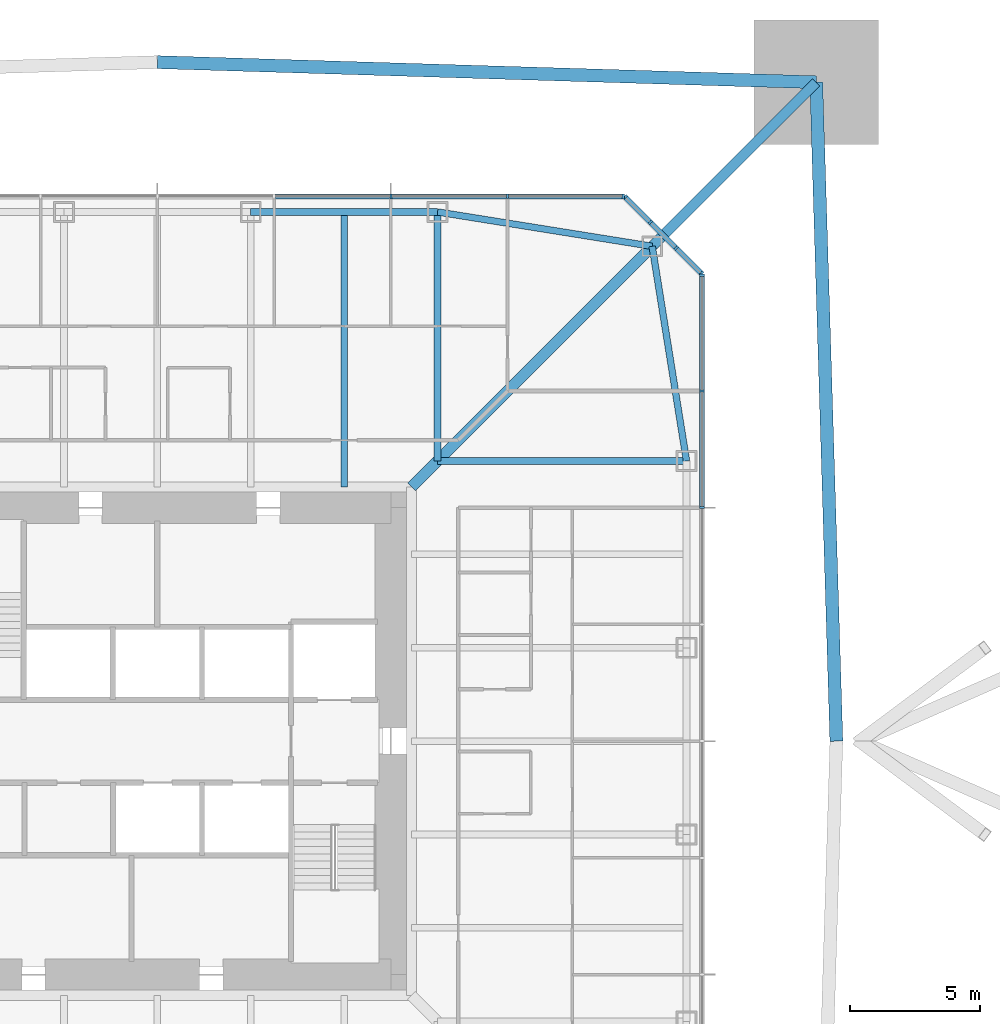
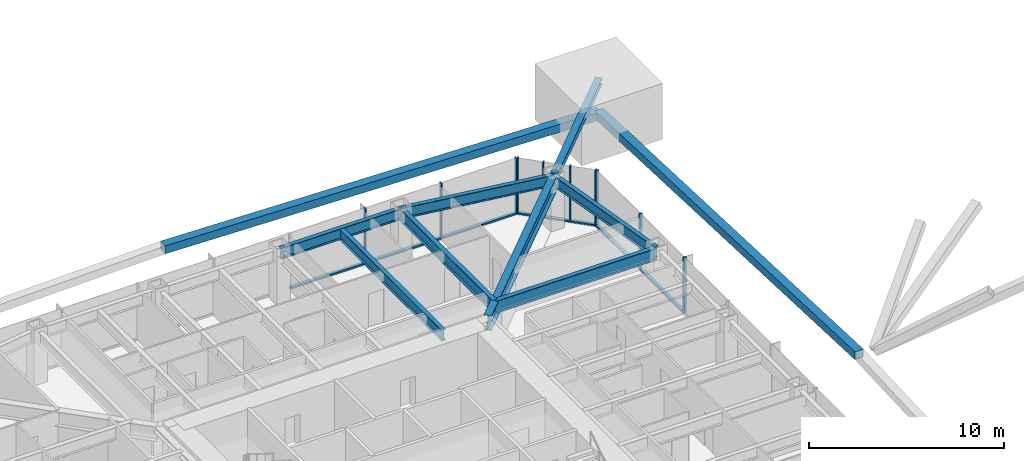
# One storey, part 9 of 27: 21 members, 7 beams, 3 elements without a shape of their own.
"""IFC4 building model written with IfcOpenShell, lengths in metres."""

from ifc_helpers import new_model, si_unit, direction, frame, origin, origin_2d, place, context, subcontext, project, spatial, rectangle, hollow_rectangle, i_section, extrude, material, material_profile, profile_set, type_object, element, aggregate, save


model = new_model("IFC4")

# Units and contexts
model_context = context("Model", 3, precision=1e-05, world=origin(), true_north=direction((0.0, 1.0)))
body_context = subcontext(model_context, "Body", "Model", "MODEL_VIEW")
ifc_project = project(units=[si_unit("LENGTHUNIT", "METRE"), si_unit("AREAUNIT", "SQUARE_METRE"), si_unit("VOLUMEUNIT", "CUBIC_METRE"), si_unit("PLANEANGLEUNIT", "RADIAN"), si_unit("MASSUNIT", "GRAM", prefix="KILO")], contexts=[model_context])

# Site, building, storey
site_placement = place(None, origin())
site = spatial("IfcSite", under=ifc_project, at=site_placement, CompositionType="ELEMENT")
building_placement = place(site_placement, origin())
building = spatial("IfcBuilding", under=site, at=building_placement, Name="Iwan Alto Co-Living Towers", CompositionType="ELEMENT")
storey_placement = place(building_placement, frame((0.0, 0.0, 91.0)))
storey = spatial("IfcBuildingStorey", under=building, at=storey_placement, Name="L24", CompositionType="ELEMENT", Elevation=91.0)

# Curtain wall, members
ifc_material_1 = material(Name="Bronze aluminium unitised frame", Category="aluminium")
curtain_wall_type_1 = type_object("IfcCurtainWallType", Name="CURTAIN WALL CW-A", PredefinedType="NOTDEFINED", material=ifc_material_1)
curtain_wall_1_placement = place(storey_placement, origin())
curtain_wall_1 = element("IfcCurtainWall", 1, at=curtain_wall_1_placement, inside=storey, type_object=curtain_wall_type_1, Name="T1 curtain wall E L24", PredefinedType="NOTDEFINED")
ifc_material_2 = material(Name="Aluminium 6063-T6 bronze anodised", Category="aluminium")
ifc_material_profile_1 = material_profile(ifc_material_2, rectangle(XDim=0.199951171875, YDim=0.080078125, at=origin_2d()), Name="AL 80X200")
ifc_profile_set_1 = profile_set([ifc_material_profile_1], Name="Aluminium 6063-T6 bronze anodised")
member_type_1 = type_object("IfcMemberType", Name="CW-A MULLION 80X200", PredefinedType="MULLION", material=ifc_profile_set_1)
member_1_placement = place(storey_placement, frame((21.0, 9.0, 0.0), z_axis=(0.0, 0.0, 1.0), x_axis=(-1.0, 0.0, 0.0)))
member_1 = element("IfcMember", 2, at=member_1_placement, type_object=member_type_1, Name="CW-A mullion 7", PredefinedType="MULLION", context=body_context, shape_type="SweptSolid", body=[
    extrude(rectangle(XDim=0.199951171875, YDim=0.080078125, at=origin_2d()), origin(), (0.0, 0.0, 1.0), 3.5),
])
member_2_placement = place(storey_placement, frame((21.0, 13.5, 0.0), z_axis=(0.0, 0.0, 1.0), x_axis=(-1.0, 0.0, 0.0)))
member_2 = element("IfcMember", 3, at=member_2_placement, type_object=member_type_1, Name="CW-A mullion 8", PredefinedType="MULLION", context=body_context, shape_type="SweptSolid", body=[
    extrude(rectangle(XDim=0.199951171875, YDim=0.080078125, at=origin_2d()), origin(), (0.0, 0.0, 1.0), 3.5),
])
member_3_placement = place(storey_placement, frame((21.0, 17.9599609375, 0.0), z_axis=(0.0, 0.0, 1.0), x_axis=(-1.0, 0.0, 0.0)))
member_3 = element("IfcMember", 4, at=member_3_placement, type_object=member_type_1, Name="CW-A mullion 9", PredefinedType="MULLION", context=body_context, shape_type="SweptSolid", body=[
    extrude(rectangle(XDim=0.199951171875, YDim=0.080078125, at=origin_2d()), origin(), (0.0, 0.0, 1.0), 3.5),
])

curtain_wall_2_placement = place(storey_placement, origin())
curtain_wall_2 = element("IfcCurtainWall", 5, at=curtain_wall_2_placement, inside=storey, type_object=curtain_wall_type_1, Name="T1 curtain wall N L24", PredefinedType="NOTDEFINED")
member_4_placement = place(storey_placement, frame((17.9599609375, 21.0, 0.0), z_axis=(0.0, 0.0, 1.0), x_axis=(0.0, -1.0, 0.0)))
member_4 = element("IfcMember", 6, at=member_4_placement, type_object=member_type_1, Name="CW-A mullion 1", PredefinedType="MULLION", context=body_context, shape_type="SweptSolid", body=[
    extrude(rectangle(XDim=0.199951171875, YDim=0.080078125, at=origin_2d()), origin(), (0.0, 0.0, 1.0), 3.5),
])
member_5_placement = place(storey_placement, frame((13.5, 21.0, 0.0), z_axis=(0.0, 0.0, 1.0), x_axis=(0.0, -1.0, 0.0)))
member_5 = element("IfcMember", 7, at=member_5_placement, type_object=member_type_1, Name="CW-A mullion 2", PredefinedType="MULLION", context=body_context, shape_type="SweptSolid", body=[
    extrude(rectangle(XDim=0.199951171875, YDim=0.080078125, at=origin_2d()), origin(), (0.0, 0.0, 1.0), 3.5),
])
member_6_placement = place(storey_placement, frame((9.0, 21.0, 0.0), z_axis=(0.0, 0.0, 1.0), x_axis=(0.0, -1.0, 0.0)))
member_6 = element("IfcMember", 8, at=member_6_placement, type_object=member_type_1, Name="CW-A mullion 3", PredefinedType="MULLION", context=body_context, shape_type="SweptSolid", body=[
    extrude(rectangle(XDim=0.199951171875, YDim=0.080078125, at=origin_2d()), origin(), (0.0, 0.0, 1.0), 3.5),
])

# Member
ifc_material_3 = material(Name="Aluminium 6063-T6 bronze anodised", Category="aluminium")
ifc_material_profile_2 = material_profile(ifc_material_3, rectangle(XDim=0.199951171875, YDim=0.10009765625, at=origin_2d()), Name="AL 200X100")
ifc_profile_set_2 = profile_set([ifc_material_profile_2], Name="Aluminium 6063-T6 bronze anodised")
member_type_2 = type_object("IfcMemberType", Name="CW-A TRANSOM 200X100", PredefinedType="USERDEFINED", material=ifc_profile_set_2)
member_7_placement = place(storey_placement, frame((21.0, 9.0400390625, 0.050048828125), z_axis=(0.0, 1.0, 0.0), x_axis=(-1.0, 0.0, 0.0)))
member_7 = element("IfcMember", 9, at=member_7_placement, type_object=member_type_2, Name="CW-A transom 7.1", ObjectType="TRANSOM", PredefinedType="USERDEFINED", context=body_context, shape_type="SweptSolid", body=[
    extrude(rectangle(XDim=0.199951171875, YDim=0.10009765625, at=origin_2d()), origin(), (0.0, 0.0, 1.0), 4.419921875),
])

member_8_placement = place(storey_placement, frame((21.0, 13.5400390625, 0.050048828125), z_axis=(0.0, 1.0, 0.0), x_axis=(-1.0, 0.0, 0.0)))
member_8 = element("IfcMember", 10, at=member_8_placement, type_object=member_type_2, Name="CW-A transom 8.1", ObjectType="TRANSOM", PredefinedType="USERDEFINED", context=body_context, shape_type="SweptSolid", body=[
    extrude(rectangle(XDim=0.199951171875, YDim=0.10009765625, at=origin_2d()), origin(), (0.0, 0.0, 1.0), 4.3798828125),
])

aggregate(curtain_wall_1, [member_1, member_2, member_3, member_7, member_8])

member_9_placement = place(storey_placement, frame((17.919921875, 21.0, 0.050048828125), z_axis=(-1.0, 0.0, 0.0), x_axis=(0.0, -1.0, 0.0)))
member_9 = element("IfcMember", 11, at=member_9_placement, type_object=member_type_2, Name="CW-A transom 1.1", ObjectType="TRANSOM", PredefinedType="USERDEFINED", context=body_context, shape_type="SweptSolid", body=[
    extrude(rectangle(XDim=0.199951171875, YDim=0.10009765625, at=origin_2d()), origin(), (0.0, 0.0, 1.0), 4.3798828125),
])

member_10_placement = place(storey_placement, frame((13.4599609375, 21.0, 0.050048828125), z_axis=(-1.0, 0.0, 0.0), x_axis=(0.0, -1.0, 0.0)))
member_10 = element("IfcMember", 12, at=member_10_placement, type_object=member_type_2, Name="CW-A transom 2.1", ObjectType="TRANSOM", PredefinedType="USERDEFINED", context=body_context, shape_type="SweptSolid", body=[
    extrude(rectangle(XDim=0.199951171875, YDim=0.10009765625, at=origin_2d()), origin(), (0.0, 0.0, 1.0), 4.419921875),
])

member_11_placement = place(storey_placement, frame((8.9599609375, 21.0, 0.050048828125), z_axis=(-1.0, 0.0, 0.0), x_axis=(0.0, -1.0, 0.0)))
member_11 = element("IfcMember", 13, at=member_11_placement, type_object=member_type_2, Name="CW-A transom 3.1", ObjectType="TRANSOM", PredefinedType="USERDEFINED", context=body_context, shape_type="SweptSolid", body=[
    extrude(rectangle(XDim=0.199951171875, YDim=0.10009765625, at=origin_2d()), origin(), (0.0, 0.0, 1.0), 4.419921875),
])

aggregate(curtain_wall_2, [member_4, member_5, member_6, member_9, member_10, member_11])

# Curtain wall, members
ifc_material_4 = material(Name="Bronze aluminium unitised frame", Category="aluminium")
curtain_wall_type_2 = type_object("IfcCurtainWallType", Name="CURTAIN WALL CW-B", PredefinedType="NOTDEFINED", material=ifc_material_4)
curtain_wall_3_placement = place(storey_placement, origin())
curtain_wall_3 = element("IfcCurtainWall", 14, at=curtain_wall_3_placement, inside=storey, type_object=curtain_wall_type_2, Name="T1 chamfer curtain wall NE L24", PredefinedType="NOTDEFINED")
ifc_material_5 = material(Name="Aluminium 6063-T6 bronze anodised", Category="aluminium")
ifc_material_profile_3 = material_profile(ifc_material_5, rectangle(XDim=0.199951171875, YDim=0.080078125, at=origin_2d()), Name="AL 80X200")
ifc_profile_set_3 = profile_set([ifc_material_profile_3], Name="Aluminium 6063-T6 bronze anodised")
member_type_3 = type_object("IfcMemberType", Name="CW-B MULLION 80X200", PredefinedType="MULLION", material=ifc_profile_set_3)
member_12_placement = place(storey_placement, frame((20.9716796875, 18.0283203125, 0.0), z_axis=(0.0, 0.0, 1.0), x_axis=(-0.707106781187, -0.707106781187, 0.0)))
member_12 = element("IfcMember", 15, at=member_12_placement, type_object=member_type_3, Name="CW-B mullion 1", PredefinedType="MULLION", context=body_context, shape_type="SweptSolid", body=[
    extrude(rectangle(XDim=0.199951171875, YDim=0.080078125, at=origin_2d()), origin(), (0.0, 0.0, 1.0), 3.5),
])
member_13_placement = place(storey_placement, frame((20.0, 19.0, 0.0), z_axis=(0.0, 0.0, 1.0), x_axis=(-0.707106781187, -0.707106781187, 0.0)))
member_13 = element("IfcMember", 16, at=member_13_placement, type_object=member_type_3, Name="CW-B mullion 2", PredefinedType="MULLION", context=body_context, shape_type="SweptSolid", body=[
    extrude(rectangle(XDim=0.199951171875, YDim=0.080078125, at=origin_2d()), origin(), (0.0, 0.0, 1.0), 3.5),
])
member_14_placement = place(storey_placement, frame((19.0, 20.0, 0.0), z_axis=(0.0, 0.0, 1.0), x_axis=(-0.707106781187, -0.707106781187, 0.0)))
member_14 = element("IfcMember", 17, at=member_14_placement, type_object=member_type_3, Name="CW-B mullion 3", PredefinedType="MULLION", context=body_context, shape_type="SweptSolid", body=[
    extrude(rectangle(XDim=0.199951171875, YDim=0.080078125, at=origin_2d()), origin(), (0.0, 0.0, 1.0), 3.5),
])
member_15_placement = place(storey_placement, frame((18.0283203125, 20.9716796875, 0.0), z_axis=(0.0, 0.0, 1.0), x_axis=(-0.707106781187, -0.707106781187, 0.0)))
member_15 = element("IfcMember", 18, at=member_15_placement, type_object=member_type_3, Name="CW-B mullion 4", PredefinedType="MULLION", context=body_context, shape_type="SweptSolid", body=[
    extrude(rectangle(XDim=0.199951171875, YDim=0.080078125, at=origin_2d()), origin(), (0.0, 0.0, 1.0), 3.5),
])
ifc_material_6 = material(Name="Aluminium 6063-T6 bronze anodised", Category="aluminium")
ifc_material_profile_4 = material_profile(ifc_material_6, rectangle(XDim=0.199951171875, YDim=0.10009765625, at=origin_2d()), Name="AL 200X100")
ifc_profile_set_4 = profile_set([ifc_material_profile_4], Name="Aluminium 6063-T6 bronze anodised")
member_type_4 = type_object("IfcMemberType", Name="CW-B TRANSOM 200X100", PredefinedType="USERDEFINED", material=ifc_profile_set_4)
member_16_placement = place(storey_placement, frame((20.943359375, 18.056640625, 0.050048828125), z_axis=(-0.707106781187, 0.707106781187, 0.0), x_axis=(-0.707106781187, -0.707106781187, 0.0)))
member_16 = element("IfcMember", 19, at=member_16_placement, type_object=member_type_4, Name="CW-B transom 1.1", ObjectType="TRANSOM", PredefinedType="USERDEFINED", context=body_context, shape_type="SweptSolid", body=[
    extrude(rectangle(XDim=0.199951171875, YDim=0.10009765625, at=origin_2d()), origin(), (0.0, 0.0, 1.0), 1.2939453125),
])
member_17_placement = place(storey_placement, frame((19.9716796875, 19.0283203125, 0.050048828125), z_axis=(-0.707106781187, 0.707106781187, 0.0), x_axis=(-0.707106781187, -0.707106781187, 0.0)))
member_17 = element("IfcMember", 20, at=member_17_placement, type_object=member_type_4, Name="CW-B transom 2.1", ObjectType="TRANSOM", PredefinedType="USERDEFINED", context=body_context, shape_type="SweptSolid", body=[
    extrude(rectangle(XDim=0.199951171875, YDim=0.10009765625, at=origin_2d()), origin(), (0.0, 0.0, 1.0), 1.334228515625),
])
member_18_placement = place(storey_placement, frame((18.9716796875, 20.0283203125, 0.050048828125), z_axis=(-0.707106781187, 0.707106781187, 0.0), x_axis=(-0.707106781187, -0.707106781187, 0.0)))
member_18 = element("IfcMember", 21, at=member_18_placement, type_object=member_type_4, Name="CW-B transom 3.1", ObjectType="TRANSOM", PredefinedType="USERDEFINED", context=body_context, shape_type="SweptSolid", body=[
    extrude(rectangle(XDim=0.199951171875, YDim=0.10009765625, at=origin_2d()), origin(), (0.0, 0.0, 1.0), 1.2939453125),
])
aggregate(curtain_wall_3, [member_12, member_13, member_14, member_15, member_16, member_17, member_18])

# Beams
ifc_material_7 = material(Name="Steel ASTM A992 Gr 50", Category="steel")
ifc_material_profile_5 = material_profile(ifc_material_7, i_section(OverallWidth=0.419189453125, OverallDepth=0.927001953125, WebThickness=0.019287109375, FlangeThickness=0.031982421875, at=origin_2d()), Name="W36X231")
ifc_profile_set_5 = profile_set([ifc_material_profile_5], Name="Steel ASTM A992 Gr 50")
beam_type_1 = type_object("IfcBeamType", Name="T1 CORNER GIRDER W36X231", PredefinedType="BEAM", material=ifc_profile_set_5)
beam_1_placement = place(storey_placement, frame((19.07568359375, 19.07568359375, 2.806396484375), z_axis=(-0.707106781187, -0.707106781187, 0.0), x_axis=(0.707106781187, -0.707106781187, 0.0)))
element("IfcBeam", 22, at=beam_1_placement, inside=storey, type_object=beam_type_1, Name="T1 corner girder CNE L25", PredefinedType="BEAM", context=body_context, shape_type="SweptSolid", body=[
    extrude(i_section(OverallWidth=0.419189453125, OverallDepth=0.927001953125, WebThickness=0.019287109375, FlangeThickness=0.031982421875, at=origin_2d()), origin(), (0.0, 0.0, 1.0), 13.11865234375),
])
ifc_material_8 = material(Name="Steel ASTM A992 Gr 50", Category="steel")
ifc_material_profile_6 = material_profile(ifc_material_8, i_section(OverallWidth=0.25390625, OverallDepth=0.683349609375, WebThickness=0.012451171875, FlangeThickness=0.018798828125, at=origin_2d()), Name="W27X94")
ifc_profile_set_6 = profile_set([ifc_material_profile_6], Name="Steel ASTM A992 Gr 50")
beam_type_2 = type_object("IfcBeamType", Name="T1 EDGE BEAM W27X94", PredefinedType="BEAM", material=ifc_profile_set_6)
for number, where, z_axis, x_axis, name in (
    (23, (20.39990234375, 10.800048828125, 2.928466796875), (-0.158004134737, 0.987438450439, 0.0), (-0.987438450439, -0.158004134737, 0.0), "T1 edge beam E4 L25"),
    (24, (19.07568359375, 19.07568359375, 2.928466796875), (-0.987438450439, 0.158004134737, 0.0), (-0.158004134737, -0.987438450439, 0.0), "T1 edge beam CNE L25"),
):
    element("IfcBeam", number, at=place(storey_placement, frame(where, z_axis=z_axis, x_axis=x_axis)), inside=storey, type_object=beam_type_2, Name=name, PredefinedType="BEAM", context=body_context, shape_type="SweptSolid", body=[
        extrude(i_section(OverallWidth=0.25390625, OverallDepth=0.683349609375, WebThickness=0.012451171875, FlangeThickness=0.018798828125, at=origin_2d()), origin(), (0.0, 0.0, 1.0), 8.380859375),
    ])
beam_2_placement = place(storey_placement, frame((10.800048828125, 20.39990234375, 2.928466796875), z_axis=(-1.0, 0.0, 0.0), x_axis=(0.0, -1.0, 0.0)))
element("IfcBeam", 25, at=beam_2_placement, inside=storey, type_object=beam_type_2, Name="T1 edge beam N1 L25", PredefinedType="BEAM", context=body_context, shape_type="SweptSolid", body=[
    extrude(i_section(OverallWidth=0.25390625, OverallDepth=0.683349609375, WebThickness=0.012451171875, FlangeThickness=0.018798828125, at=origin_2d()), origin(), (0.0, 0.0, 1.0), 7.199951171875),
])

# Members
ifc_material_9 = material(Name="Steel ASTM A992 Gr 50", Category="steel")
ifc_material_profile_7 = material_profile(ifc_material_9, i_section(OverallWidth=0.393798828125, OverallDepth=0.3759765625, WebThickness=0.017333984375, FlangeThickness=0.027587890625, at=origin_2d()), Name="W14X145")
ifc_profile_set_7 = profile_set([ifc_material_profile_7], Name="Steel ASTM A992 Gr 50")
member_type_5 = type_object("IfcMemberType", Name="T1 MEGA COLUMN FLOOR TIE W14X145", PredefinedType="STRUT", material=ifc_profile_set_7)
member_19_placement = place(storey_placement, frame((25.39990234375, 25.39990234375, 3.08203125), z_axis=(-0.707106781187, -0.707106781187, 0.0), x_axis=(0.707106781187, -0.707106781187, 0.0)))
element("IfcMember", 26, at=member_19_placement, inside=storey, type_object=member_type_5, Name="T1 mega column floor tie NE L25", PredefinedType="STRUT", context=body_context, shape_type="SweptSolid", body=[
    extrude(i_section(OverallWidth=0.393798828125, OverallDepth=0.3759765625, WebThickness=0.017333984375, FlangeThickness=0.027587890625, at=origin_2d()), origin(), (0.0, 0.0, 1.0), 8.94384765625),
])
ifc_material_10 = material(Name="Steel ASTM A572 Gr 50", Category="steel")
ifc_material_profile_8 = material_profile(ifc_material_10, hollow_rectangle(XDim=0.5, YDim=0.5, WallThickness=0.031982421875, at=origin_2d()), Name="BOX 500X500X32")
ifc_profile_set_8 = profile_set([ifc_material_profile_8], Name="Steel ASTM A572 Gr 50")
member_type_6 = type_object("IfcMemberType", Name="T1 MEGA TIE BOX 500X500X32", PredefinedType="STRUT", material=ifc_profile_set_8)
for number, where, z_axis, x_axis, name in (
    (27, (26.175537109375, 0.0, 1.01904296875), (-0.030522691262, 0.999534074116, 0.0), (-0.999534074116, -0.030522691262, 0.0), "T1 mega tie Z2A E 2"),
    (28, (25.39990234375, 25.39990234375, 1.01904296875), (-0.999534074116, 0.030522691262, 0.0), (-0.030522691262, -0.999534074116, 0.0), "T1 mega tie Z2A N 1"),
):
    element("IfcMember", number, at=place(storey_placement, frame(where, z_axis=z_axis, x_axis=x_axis)), inside=storey, type_object=member_type_6, Name=name, PredefinedType="STRUT", context=body_context, shape_type="SweptSolid", body=[
        extrude(hollow_rectangle(XDim=0.5, YDim=0.5, WallThickness=0.031982421875, at=origin_2d()), origin(), (0.0, 0.0, 1.0), 25.41162109375),
    ])

# Beams
ifc_material_11 = material(Name="Steel ASTM A992 Gr 50", Category="steel")
ifc_material_profile_9 = material_profile(ifc_material_11, i_section(OverallWidth=0.2666015625, OverallDepth=0.761962890625, WebThickness=0.014404296875, FlangeThickness=0.021484375, at=origin_2d()), Name="W30X116")
ifc_profile_set_9 = profile_set([ifc_material_profile_9], Name="Steel ASTM A992 Gr 50")
beam_type_3 = type_object("IfcBeamType", Name="T1 RADIAL BEAM W30X116", PredefinedType="BEAM", material=ifc_profile_set_9)
for number, where, z_axis, x_axis, name in (
    (29, (20.39990234375, 10.800048828125, 2.888916015625), (-1.0, 0.0, 0.0), (0.0, -1.0, 0.0), "T1 radial beam E4 L25"),
    (30, (10.800048828125, 20.39990234375, 2.888916015625), (0.0, -1.0, 0.0), (1.0, 0.0, 0.0), "T1 radial beam N1 L25"),
):
    element("IfcBeam", number, at=place(storey_placement, frame(where, z_axis=z_axis, x_axis=x_axis)), inside=storey, type_object=beam_type_3, Name=name, PredefinedType="BEAM", context=body_context, shape_type="SweptSolid", body=[
        extrude(i_section(OverallWidth=0.2666015625, OverallDepth=0.761962890625, WebThickness=0.014404296875, FlangeThickness=0.021484375, at=origin_2d()), origin(), (0.0, 0.0, 1.0), 9.599853515625),
    ])
ifc_material_12 = material(Name="Steel ASTM A992 Gr 50", Category="steel")
ifc_material_profile_10 = material_profile(ifc_material_12, i_section(OverallWidth=0.25390625, OverallDepth=0.683349609375, WebThickness=0.012451171875, FlangeThickness=0.018798828125, at=origin_2d()), Name="W27X94")
ifc_profile_set_10 = profile_set([ifc_material_profile_10], Name="Steel ASTM A992 Gr 50")
beam_type_4 = type_object("IfcBeamType", Name="T1 SECONDARY BEAM W27X94", PredefinedType="JOIST", material=ifc_profile_set_10)
beam_3_placement = place(storey_placement, frame((7.199951171875, 20.39990234375, 2.928466796875), z_axis=(0.0, -1.0, 0.0), x_axis=(1.0, 0.0, 0.0)))
element("IfcBeam", 31, at=beam_3_placement, inside=storey, type_object=beam_type_4, Name="T1 secondary beam N1 L25", PredefinedType="JOIST", context=body_context, shape_type="SweptSolid", body=[
    extrude(i_section(OverallWidth=0.25390625, OverallDepth=0.683349609375, WebThickness=0.012451171875, FlangeThickness=0.018798828125, at=origin_2d()), origin(), (0.0, 0.0, 1.0), 10.6005859375),
])

save(model, "model.ifc")
